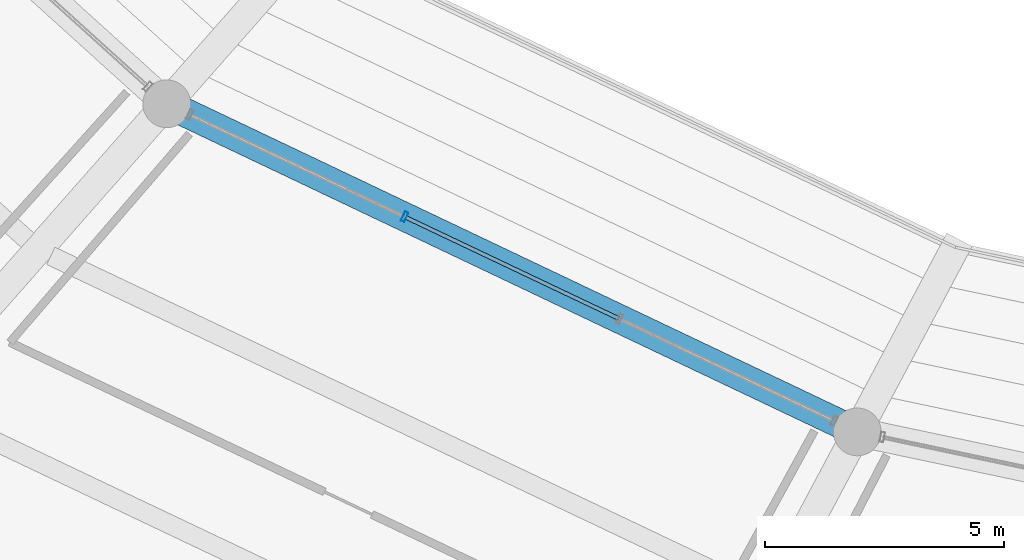
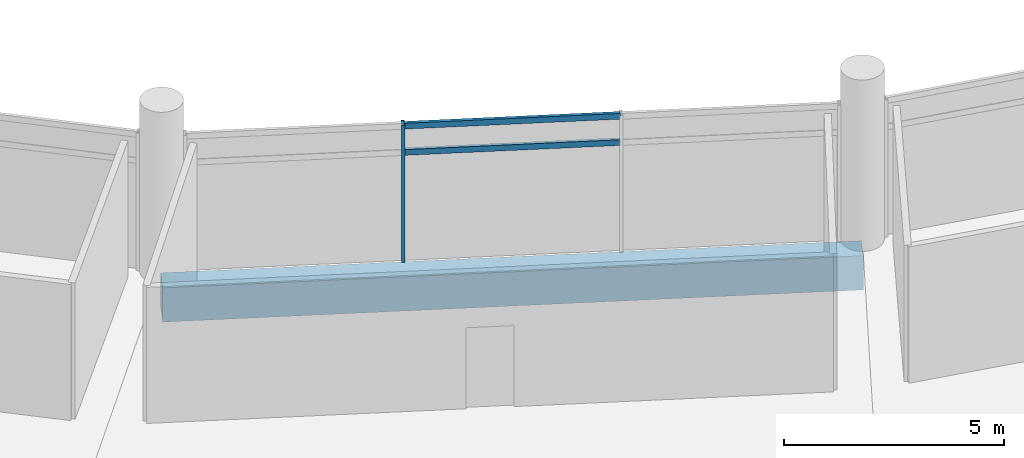
# One storey, part 6 of 171: 3 members, 1 beam, 1 element without a shape of its own.
"""IFC4 building model written with IfcOpenShell, lengths in metres."""

import ifcopenshell
import ifcopenshell.guid

model = None  # the IFC model being written
_history = None  # IfcOwnerHistory: only IFC2X3 demands one
_inside = {}  # id of a spatial element -> (the spatial element, [elements in it])
_under = {}  # id of a project, library or spatial element -> (it, [spatial elements below it])
_declared = {}  # id of a project -> (the project, [libraries it declares])
_typed = {}  # id of a type object -> (the type object, [elements of that type])
_made_of = {}  # id of a material, layer set ... -> (it, [elements and type objects made of it])


def new_model(schema):
    """Start an empty IFC model of exactly this schema.

    Asked for "IFC4X3", IfcOpenShell would pick the latest addendum, in which some entities
    have other attributes; the version numbers below select the first issue.
    IFC2X3 requires an IfcOwnerHistory on every rooted entity: one is made here for all.
    """
    global model, _history
    if schema == "IFC4X3":
        model = ifcopenshell.file(schema_version=(4, 3, 0, 0))
    else:
        model = ifcopenshell.file(schema=schema)
    _inside.clear()
    _under.clear()
    _declared.clear()
    _typed.clear()
    _made_of.clear()
    _history = None
    if model.schema == "IFC2X3":
        org = make("IfcOrganization", Name="unknown")
        user = make(
            "IfcPersonAndOrganization",
            ThePerson=make("IfcPerson", FamilyName="unknown"),
            TheOrganization=org,
        )
        app = make(
            "IfcApplication",
            ApplicationDeveloper=org,
            Version="unknown",
            ApplicationFullName="unknown",
            ApplicationIdentifier="unknown",
        )
        _history = make(
            "IfcOwnerHistory",
            OwningUser=user,
            OwningApplication=app,
            ChangeAction="ADDED",
            CreationDate=0,
        )
    return model


def make(cls, **values):
    """One entity of the class cls with the attributes given. An attribute that is None is left unset."""
    return model.create_entity(
        cls, **{name: value for name, value in values.items() if value is not None}
    )


def rooted(cls, **values):
    """An entity with a GlobalId (a new one), such as an element, a storey or a relation."""
    return make(cls, GlobalId=ifcopenshell.guid.new(), OwnerHistory=_history, **values)


def si_unit(unit_type, name, prefix=None):
    """IfcSIUnit, for example si_unit("LENGTHUNIT", "METRE", prefix="MILLI")."""
    return make("IfcSIUnit", UnitType=unit_type, Prefix=prefix, Name=name)


def assignment(units):
    """IfcUnitAssignment: the units of a project."""
    return None if units is None else make("IfcUnitAssignment", Units=units)


def point(xyz):
    """IfcCartesianPoint."""
    return None if xyz is None else make("IfcCartesianPoint", Coordinates=xyz)


def direction(xyz):
    """IfcDirection."""
    return None if xyz is None else make("IfcDirection", DirectionRatios=xyz)


def frame(location, z_axis=None, x_axis=None):
    """IfcAxis2Placement3D, a coordinate frame: its origin and axes. An axis left out is left unset."""
    return make(
        "IfcAxis2Placement3D",
        Location=point(location),
        Axis=direction(z_axis),
        RefDirection=direction(x_axis),
    )


def frame_2d(location, x_axis=None):
    """IfcAxis2Placement2D, a coordinate frame in the plane: its origin and x axis."""
    return make(
        "IfcAxis2Placement2D", Location=point(location), RefDirection=direction(x_axis)
    )


def origin():
    """The frame at (0, 0, 0) with its axes left unset."""
    return frame((0.0, 0.0, 0.0))


def origin_2d():
    """The frame at (0, 0) in the plane with its x axis left unset."""
    return frame_2d((0.0, 0.0))


def place(relative_to, where):
    """IfcLocalPlacement: puts the frame where relative to a parent placement (None: the world)."""
    return make(
        "IfcLocalPlacement", PlacementRelTo=relative_to, RelativePlacement=where
    )


def context(
    kind, dimensions, precision=None, world=None, true_north=None, identifier=None
):
    """IfcGeometricRepresentationContext, for example the 3D "Model" context."""
    return make(
        "IfcGeometricRepresentationContext",
        ContextIdentifier=identifier,
        ContextType=kind,
        CoordinateSpaceDimension=dimensions,
        Precision=precision,
        WorldCoordinateSystem=world,
        TrueNorth=true_north,
    )


def subcontext(parent, identifier, kind, view, scale=None):
    """IfcGeometricRepresentationSubContext, for example "Body" below "Model"."""
    return make(
        "IfcGeometricRepresentationSubContext",
        ContextIdentifier=identifier,
        ContextType=kind,
        ParentContext=parent,
        TargetScale=scale,
        TargetView=view,
    )


def project(units=None, contexts=None):
    """IfcProject with its units and contexts."""
    return rooted(
        "IfcProject",
        Name="project",
        RepresentationContexts=contexts,
        UnitsInContext=assignment(units),
    )


def spatial(cls, under=None, at=None, **own):
    """A site, building, storey or space (cls), placed at a placement, below another one or the project."""
    s = rooted(cls, ObjectPlacement=at, **own)
    if under is not None:
        _under.setdefault(under.id(), (under, []))[1].append(s)
    return s


def profile(cls, at=None, kind="AREA", **sizes):
    """A parametric profile (cls). Its sizes go by their IFC names, for example OverallWidth=200.0."""
    return make(cls, ProfileType=kind, Position=at, **sizes)


def rectangle(**sizes):
    """IfcRectangleProfileDef."""
    return profile("IfcRectangleProfileDef", **sizes)


def hollow_rectangle(**sizes):
    """IfcRectangleHollowProfileDef."""
    return profile("IfcRectangleHollowProfileDef", **sizes)


def extrude(swept, where, along, depth):
    """IfcExtrudedAreaSolid: the profile swept, set in the frame where, extruded along a direction by depth."""
    return make(
        "IfcExtrudedAreaSolid",
        SweptArea=swept,
        Position=where,
        ExtrudedDirection=direction(along),
        Depth=depth,
    )


def shape(context_of_items, identifier, shape_type, items):
    """IfcShapeRepresentation: the items that make up one representation, for example the "Body"."""
    return make(
        "IfcShapeRepresentation",
        ContextOfItems=context_of_items,
        RepresentationIdentifier=identifier,
        RepresentationType=shape_type,
        Items=items,
    )


def material(Name=None, Category=None):
    """IfcMaterial."""
    return make("IfcMaterial", Name=Name, Category=Category)


def layer(
    of_material, thickness, ventilated=None, Name=None, Category=None, Priority=None
):
    """IfcMaterialLayer: one layer of a wall or slab, of a material (None: an air gap)."""
    return make(
        "IfcMaterialLayer",
        Material=of_material,
        LayerThickness=thickness,
        IsVentilated=ventilated,
        Name=Name,
        Category=Category,
        Priority=Priority,
    )


def layer_set(layers, Name=None):
    """IfcMaterialLayerSet."""
    return make("IfcMaterialLayerSet", MaterialLayers=layers, LayerSetName=Name)


def material_profile(
    of_material, cross_section, Name=None, Category=None, Priority=None
):
    """IfcMaterialProfile: a cross section and its material."""
    return make(
        "IfcMaterialProfile",
        Name=Name,
        Material=of_material,
        Profile=cross_section,
        Priority=Priority,
        Category=Category,
    )


def profile_set(profiles, Name=None, composite=None):
    """IfcMaterialProfileSet."""
    return make(
        "IfcMaterialProfileSet",
        Name=Name,
        MaterialProfiles=profiles,
        CompositeProfile=composite,
    )


def made_of(thing, what):
    """Note that an element or type object is made of a material, layer set ...; save() writes the relation."""
    if what is not None:
        _made_of.setdefault(what.id(), (what, []))[1].append(thing)
    return thing


def type_object(cls, material=None, **own):
    """A type object (cls), such as IfcWallType, which elements share."""
    return made_of(rooted(cls, **own), material)


def element(
    cls,
    number,
    at=None,
    inside=None,
    cuts=None,
    type_object=None,
    material=None,
    context=None,
    identifier="Body",
    shape_type=None,
    held_by="IfcProductDefinitionShape",
    body=None,
    shapes=None,
    **own,
):
    """One element of the class cls, such as IfcWall. Its Tag is "e" and its number.

    at: its placement. inside: the storey or other place that contains it. cuts: it is an
    opening in that element (IfcRelVoidsElement). A single representation is given by context,
    identifier, shape_type and body (its items); several are given by shapes. held_by: the class
    of the entity that holds the representations. save() writes the other relations.
    """
    e = rooted(cls, Tag="e%d" % number, ObjectPlacement=at, **own)
    if body is not None:
        shapes = [shape(context, identifier, shape_type, body)]
    if shapes is not None:
        e.Representation = make(held_by, Representations=shapes)
    if inside is not None:
        _inside.setdefault(inside.id(), (inside, []))[1].append(e)
    if cuts is not None:
        rooted(
            "IfcRelVoidsElement", RelatingBuildingElement=cuts, RelatedOpeningElement=e
        )
    if type_object is not None:
        _typed.setdefault(type_object.id(), (type_object, []))[1].append(e)
    return made_of(e, material)


def aggregate(whole, parts):
    """IfcRelAggregates: a whole, such as a stair, and the parts it consists of."""
    return rooted("IfcRelAggregates", RelatingObject=whole, RelatedObjects=parts)


def save(model, path):
    """Write the relations noted so far, then the file.

    IfcRelAggregates (storeys below a building ...), IfcRelContainedInSpatialStructure (elements
    in a storey), IfcRelDefinesByType, IfcRelAssociatesMaterial and IfcRelDeclares: one each for
    every whole, place, type object, material and project.
    """
    for whole, parts in _under.values():
        aggregate(whole, parts)
    for where, things in _inside.values():
        rooted(
            "IfcRelContainedInSpatialStructure",
            RelatedElements=things,
            RelatingStructure=where,
        )
    for kind, things in _typed.values():
        rooted("IfcRelDefinesByType", RelatedObjects=things, RelatingType=kind)
    for what, things in _made_of.values():
        rooted("IfcRelAssociatesMaterial", RelatedObjects=things, RelatingMaterial=what)
    for by, libraries in _declared.values():
        rooted("IfcRelDeclares", RelatingContext=by, RelatedDefinitions=libraries)
    model.write(path)


model = new_model("IFC4")

# Units and contexts
model_context = context("Model", 3, precision=1e-05, world=origin(), true_north=direction((0.0, 1.0)))
body_context = subcontext(model_context, "Body", "Model", "MODEL_VIEW")
ifc_project = project(units=[si_unit("LENGTHUNIT", "METRE"), si_unit("AREAUNIT", "SQUARE_METRE"), si_unit("VOLUMEUNIT", "CUBIC_METRE"), si_unit("PLANEANGLEUNIT", "RADIAN"), si_unit("MASSUNIT", "GRAM", prefix="KILO")], contexts=[model_context])

# Site, building, storey
site_placement = place(None, origin())
site = spatial("IfcSite", under=ifc_project, at=site_placement, CompositionType="ELEMENT")
building_placement = place(site_placement, origin())
building = spatial("IfcBuilding", under=site, at=building_placement, Name="Kazemori Nagisa Stadium", CompositionType="ELEMENT")
storey_placement = place(building_placement, frame((0.0, 0.0, 15.639892578125)))
storey = spatial("IfcBuildingStorey", under=building, at=storey_placement, Name="L03", CompositionType="ELEMENT", Elevation=15.639892578125)

# Beam
ifc_material_1 = material(Name="Concrete C40/50 (Fc42)", Category="concrete")
ifc_material_profile_1 = material_profile(ifc_material_1, rectangle(XDim=0.60009765625, YDim=0.949951171875, at=origin_2d()), Name="RC-BM-600x950")
ifc_profile_set_1 = profile_set([ifc_material_profile_1], Name="Concrete C40/50 (Fc42)")
beam_type = type_object("IfcBeamType", Name="Beam_BG-RC600X950", PredefinedType="BEAM", material=ifc_profile_set_1)
beam_placement = place(storey_placement, frame((77.303466796875, 50.126953125, -0.73486328125), z_axis=(0.903211989129, -0.429194714196, 0.0), x_axis=(0.429194714196, 0.903211989129, 0.0)))
element("IfcBeam", 1, at=beam_placement, inside=storey, type_object=beam_type, Name="Ring girder BG-RC600X950 L03 R1-19", PredefinedType="BEAM", context=body_context, shape_type="SweptSolid", body=[
    extrude(rectangle(XDim=0.60009765625, YDim=0.949951171875, at=origin_2d()), origin(), (0.0, 0.0, 1.0), 15.997314453125),
])

# Curtain wall, members
ifc_material_2 = material(Name="Anodised aluminium 6063-T5", Category="aluminium")
ifc_layer = layer(ifc_material_2, 0.2099609375, Name="Anodised aluminium 6063-T5", Category="aluminium")
ifc_layer_set = layer_set([ifc_layer], Name="Anodised aluminium 6063-T5")
curtain_wall_type = type_object("IfcCurtainWallType", Name="CW_L03B_75", PredefinedType="USERDEFINED", material=ifc_layer_set)
curtain_wall_placement = place(storey_placement, origin())
curtain_wall = element("IfcCurtainWall", 2, at=curtain_wall_placement, inside=storey, type_object=curtain_wall_type, Name="Unitised curtain wall CW-L03B-75 L03", ObjectType="UNITISED CURTAIN WALL", PredefinedType="USERDEFINED")
ifc_material_3 = material(Name="Aluminium 6063-T5 anodised", Category="aluminium")
ifc_material_profile_2 = material_profile(ifc_material_3, hollow_rectangle(XDim=0.080078125, YDim=0.2099609375, WallThickness=0.0048828125, at=origin_2d()), Name="ALU-MULL-80x210x5")
ifc_profile_set_2 = profile_set([ifc_material_profile_2], Name="Aluminium 6063-T5 anodised")
member_type_1 = type_object("IfcMemberType", Name="Mullion_M02", PredefinedType="MULLION", material=ifc_profile_set_2)
member_1_placement = place(storey_placement, frame((82.281005859375, 47.76171875, 0.0), z_axis=(0.0, 0.0, 1.0), x_axis=(0.903215892654, -0.429186499388, 0.0)))
member_1 = element("IfcMember", 3, at=member_1_placement, type_object=member_type_1, Name="Curtain wall mullion CW-L03B-75-M2", PredefinedType="MULLION", context=body_context, shape_type="SweptSolid", body=[
    extrude(hollow_rectangle(XDim=0.080078125, YDim=0.2099609375, WallThickness=0.0048828125, at=origin_2d()), origin(), (0.0, 0.0, 1.0), 3.81005859375),
])
ifc_material_profile_3 = material_profile(ifc_material_3, hollow_rectangle(XDim=0.080078125, YDim=0.159912109375, WallThickness=0.00390625, at=origin_2d()), Name="ALU-TRAN-80x160x4")
ifc_profile_set_3 = profile_set([ifc_material_profile_3], Name="Aluminium 6063-T5 anodised")
member_type_2 = type_object("IfcMemberType", Name="Transom_T02", PredefinedType="USERDEFINED", material=ifc_profile_set_3)
member_2_placement = place(storey_placement, frame((82.299072265625, 47.753173828125, 3.010009765625), z_axis=(0.903210397994, -0.429198062618, 0.0), x_axis=(0.429198062618, 0.903210397994, 0.0)))
member_2 = element("IfcMember", 4, at=member_2_placement, type_object=member_type_2, Name="Curtain wall transom CW-L03B-75-T2-mid", ObjectType="TRANSOM", PredefinedType="USERDEFINED", context=body_context, shape_type="SweptSolid", body=[
    extrude(hollow_rectangle(XDim=0.080078125, YDim=0.159912109375, WallThickness=0.00390625, at=origin_2d()), origin(), (0.0, 0.0, 1.0), 4.935791015625),
])
member_3_placement = place(storey_placement, frame((82.299072265625, 47.753173828125, 3.739990234375), z_axis=(0.903210397994, -0.429198062618, 0.0), x_axis=(0.429198062618, 0.903210397994, 0.0)))
member_3 = element("IfcMember", 5, at=member_3_placement, type_object=member_type_2, Name="Curtain wall transom CW-L03B-75-T2-head", ObjectType="TRANSOM", PredefinedType="USERDEFINED", context=body_context, shape_type="SweptSolid", body=[
    extrude(hollow_rectangle(XDim=0.080078125, YDim=0.159912109375, WallThickness=0.00390625, at=origin_2d()), origin(), (0.0, 0.0, 1.0), 4.935791015625),
])
aggregate(curtain_wall, [member_1, member_2, member_3])

save(model, "model.ifc")
